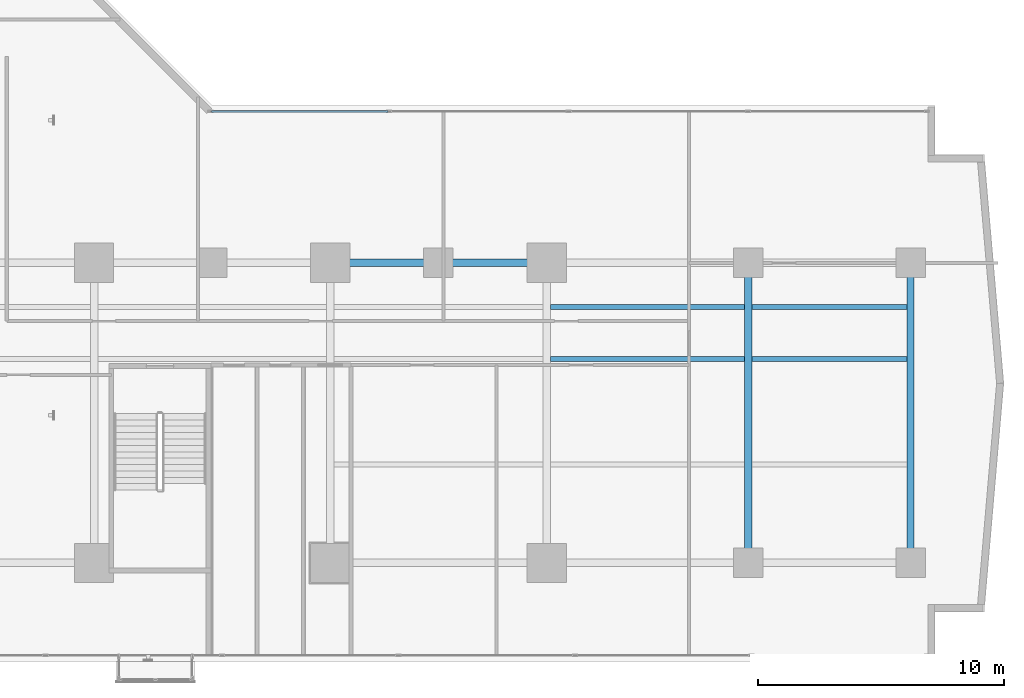
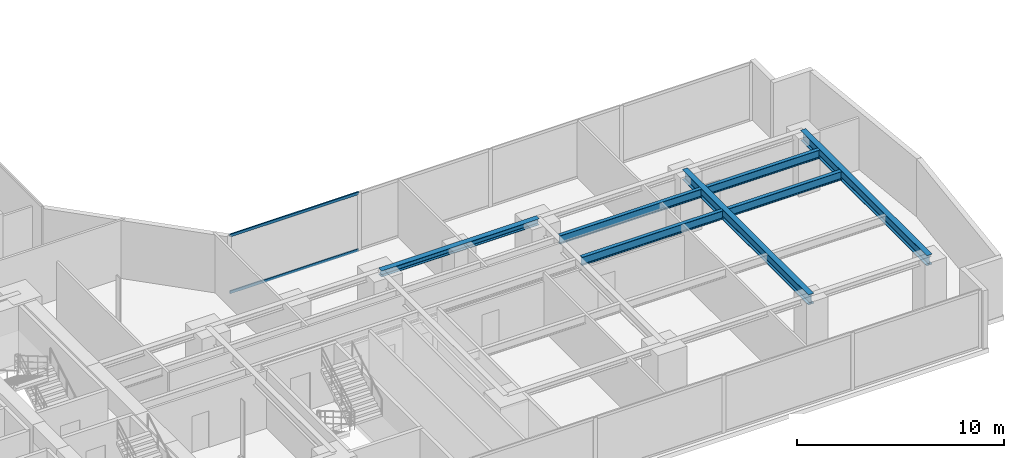
# One storey, part 12 of 28: 7 beams, 2 members, 1 element without a shape of its own.
"""IFC4 building model written with IfcOpenShell, lengths in metres."""

from ifc_helpers import new_model, si_unit, direction, frame, origin, origin_with_axes, origin_2d, place, context, subcontext, project, spatial, hollow_rectangle, i_section, extrude, source, transform, mapped, material, layer, layer_set, material_profile, profile_set, type_object, element, aggregate, save


model = new_model("IFC4")

# Units and contexts
model_context = context("Model", 3, precision=1e-05, world=origin(), true_north=direction((0.0, 1.0)))
body_context = subcontext(model_context, "Body", "Model", "MODEL_VIEW")
ifc_project = project(units=[si_unit("LENGTHUNIT", "METRE"), si_unit("AREAUNIT", "SQUARE_METRE"), si_unit("VOLUMEUNIT", "CUBIC_METRE"), si_unit("PLANEANGLEUNIT", "RADIAN"), si_unit("MASSUNIT", "GRAM", prefix="KILO")], contexts=[model_context])

# Site, building, storey
site_placement = place(None, origin())
site = spatial("IfcSite", under=ifc_project, at=site_placement, CompositionType="ELEMENT")
building_placement = place(site_placement, origin())
building = spatial("IfcBuilding", under=site, at=building_placement, Name="Kolvaren Waterfront Exchange", CompositionType="ELEMENT")
storey_placement = place(building_placement, frame((0.0, 0.0, 79.0)))
storey = spatial("IfcBuildingStorey", under=building, at=storey_placement, Name="L20", CompositionType="ELEMENT", Elevation=79.0)

# Beams
ifc_material_1 = material(Name="Steel S355", Category="steel")
ifc_material_profile_1 = material_profile(ifc_material_1, i_section(OverallWidth=0.300048828125, OverallDepth=0.360107421875, WebThickness=0.012451171875, FlangeThickness=0.0224609375, FilletRadius=0.027099609375, at=origin_2d()), Name="HEB360")
ifc_profile_set_1 = profile_set([ifc_material_profile_1], Name="Steel S355")
beam_type_1 = type_object("IfcBeamType", Name="STR-BM-HEB360", PredefinedType="SPANDREL", material=ifc_profile_set_1)
beam_placement = place(storey_placement, frame((36.800048828125, 17.39990234375, 3.239990234375), z_axis=(1.0, 0.0, 0.0), x_axis=(0.0, 1.0, 0.0)))
element("IfcBeam", 1, at=beam_placement, inside=storey, type_object=beam_type_1, Name="L20 east-arm spandrel N3", PredefinedType="SPANDREL", context=body_context, shape_type="SweptSolid", body=[
    extrude(i_section(OverallWidth=0.300048828125, OverallDepth=0.360107421875, WebThickness=0.012451171875, FlangeThickness=0.0224609375, FilletRadius=0.027099609375, at=origin_2d()), origin(), (0.0, 0.0, 1.0), 8.800048828125),
])
ifc_material_profile_2 = material_profile(ifc_material_1, i_section(OverallWidth=0.300048828125, OverallDepth=0.60009765625, WebThickness=0.015380859375, FlangeThickness=0.030029296875, FilletRadius=0.027099609375, at=origin_2d()), Name="HEB600")
ifc_profile_set_2 = profile_set([ifc_material_profile_2], Name="Steel S355")
beam_type_2 = type_object("IfcBeamType", Name="STR-BM-HEB600", PredefinedType="BEAM", material=ifc_profile_set_2)
for number, where, z_axis, x_axis, name in (
    (2, (53.800048828125, 5.199951171875, 3.1201171875), (0.0, 1.0, 0.0), (-1.0, 0.0, 0.0), "L20 east-arm transverse girder X53"),
    (3, (60.39990234375, 5.199951171875, 3.1201171875), (0.0, 1.0, 0.0), (-1.0, 0.0, 0.0), "L20 east-arm transverse girder X60"),
):
    element("IfcBeam", number, at=place(storey_placement, frame(where, z_axis=z_axis, x_axis=x_axis)), inside=storey, type_object=beam_type_2, Name=name, PredefinedType="BEAM", context=body_context, shape_type="SweptSolid", body=[
        extrude(i_section(OverallWidth=0.300048828125, OverallDepth=0.60009765625, WebThickness=0.015380859375, FlangeThickness=0.030029296875, FilletRadius=0.027099609375, at=origin_2d()), origin(), (0.0, 0.0, 1.0), 12.199951171875),
    ])
ifc_material_profile_3 = material_profile(ifc_material_1, i_section(OverallWidth=0.199951171875, OverallDepth=0.5, WebThickness=0.01025390625, FlangeThickness=0.01611328125, FilletRadius=0.02099609375, at=origin_2d()), Name="IPE500")
ifc_profile_set_3 = profile_set([ifc_material_profile_3], Name="Steel S355")
beam_type_3 = type_object("IfcBeamType", Name="STR-BM-IPE500", PredefinedType="JOIST", material=ifc_profile_set_3)
for number, where, z_axis, x_axis, name in (
    (4, (45.751953125, 13.5, 3.169921875), (1.0, 0.0, 0.0), (0.0, 1.0, 0.0), "L20 east-arm composite joist 4A"),
    (5, (45.751953125, 15.60009765625, 3.169921875), (1.0, 0.0, 0.0), (0.0, 1.0, 0.0), "L20 east-arm composite joist 4C"),
):
    element("IfcBeam", number, at=place(storey_placement, frame(where, z_axis=z_axis, x_axis=x_axis)), inside=storey, type_object=beam_type_3, Name=name, PredefinedType="JOIST", context=body_context, shape_type="SweptSolid", body=[
        extrude(i_section(OverallWidth=0.199951171875, OverallDepth=0.5, WebThickness=0.01025390625, FlangeThickness=0.01611328125, FilletRadius=0.02099609375, at=origin_2d()), origin(), (0.0, 0.0, 1.0), 7.89599609375),
    ])
for number, where, z_axis, x_axis, name in (
    (6, (53.951904296875, 13.5, 3.169921875), (1.0, 0.0, 0.0), (0.0, 1.0, 0.0), "L20 east-arm composite joist 5A"),
    (7, (53.951904296875, 15.60009765625, 3.169921875), (1.0, 0.0, 0.0), (0.0, 1.0, 0.0), "L20 east-arm composite joist 5C"),
):
    element("IfcBeam", number, at=place(storey_placement, frame(where, z_axis=z_axis, x_axis=x_axis)), inside=storey, type_object=beam_type_3, Name=name, PredefinedType="JOIST", context=body_context, shape_type="SweptSolid", body=[
        extrude(i_section(OverallWidth=0.199951171875, OverallDepth=0.5, WebThickness=0.01025390625, FlangeThickness=0.01611328125, FilletRadius=0.02099609375, at=origin_2d()), origin(), (0.0, 0.0, 1.0), 6.296142578125),
    ])

# Curtain wall, members
ifc_material_2 = material(Name="Anodised bronze aluminium 6063-T6", Category="aluminium")
ifc_layer = layer(ifc_material_2, 0.219970703125, Name="Anodised bronze aluminium 6063-T6")
ifc_layer_set = layer_set([ifc_layer], Name="Anodised bronze aluminium 6063-T6")
curtain_wall_type = type_object("IfcCurtainWallType", Name="ARC-CW-SYS1", PredefinedType="USERDEFINED", material=ifc_layer_set)
curtain_wall_placement = place(storey_placement, origin())
curtain_wall = element("IfcCurtainWall", 8, at=curtain_wall_placement, inside=storey, type_object=curtain_wall_type, Name="L20 stick curtain wall CW1 (CW-L20-EN)", ObjectType="STICK CURTAIN WALL", PredefinedType="USERDEFINED")
ifc_material_3 = material(Name="Anodised aluminium 6063-T6", Category="aluminium")
ifc_material_profile_4 = material_profile(ifc_material_3, hollow_rectangle(XDim=0.074951171875, YDim=0.159912109375, WallThickness=0.00439453125, at=origin_2d()), Name="ALU-TRN-160x75x4.5")
ifc_profile_set_4 = profile_set([ifc_material_profile_4], Name="Anodised aluminium 6063-T6")
member_type = type_object("IfcMemberType", Name="ARC-CWT-160", PredefinedType="USERDEFINED", material=ifc_profile_set_4)
shared_shape = source(origin_with_axes(), body_context, "Body", "SweptSolid", [
    extrude(hollow_rectangle(XDim=0.074951171875, YDim=0.159912109375, WallThickness=0.00439453125, at=origin_2d()), origin(), (0.0, 0.0, 1.0), 7.1826171875),
])
member_1_placement = place(storey_placement, frame((31.969970703125, 23.56005859375, 0.03759765625), z_axis=(1.0, 0.0, 0.0), x_axis=(0.0, 1.0, 0.0)))
member_1 = element("IfcMember", 9, at=member_1_placement, type_object=member_type, Name="CW1 transom 1.1", ObjectType="TRANSOM", PredefinedType="USERDEFINED", context=body_context, shape_type="MappedRepresentation", body=[
    mapped(shared_shape, transform((0.0, 0.0, 0.0), x_axis=(1.0, 0.0, 0.0), y_axis=(0.0, 1.0, 0.0), z_axis=(0.0, 0.0, 1.0), scale=1.0)),
])
member_2_placement = place(storey_placement, frame((31.969970703125, 23.56005859375, 3.382568359375), z_axis=(1.0, 0.0, 0.0), x_axis=(0.0, 1.0, 0.0)))
member_2 = element("IfcMember", 10, at=member_2_placement, type_object=member_type, Name="CW1 transom 1.2", ObjectType="TRANSOM", PredefinedType="USERDEFINED", context=body_context, shape_type="MappedRepresentation", body=[
    mapped(shared_shape, transform((0.0, 0.0, 0.0), x_axis=(1.0, 0.0, 0.0), y_axis=(0.0, 1.0, 0.0), z_axis=(0.0, 0.0, 1.0), scale=1.0)),
])
aggregate(curtain_wall, [member_1, member_2])

save(model, "model.ifc")
